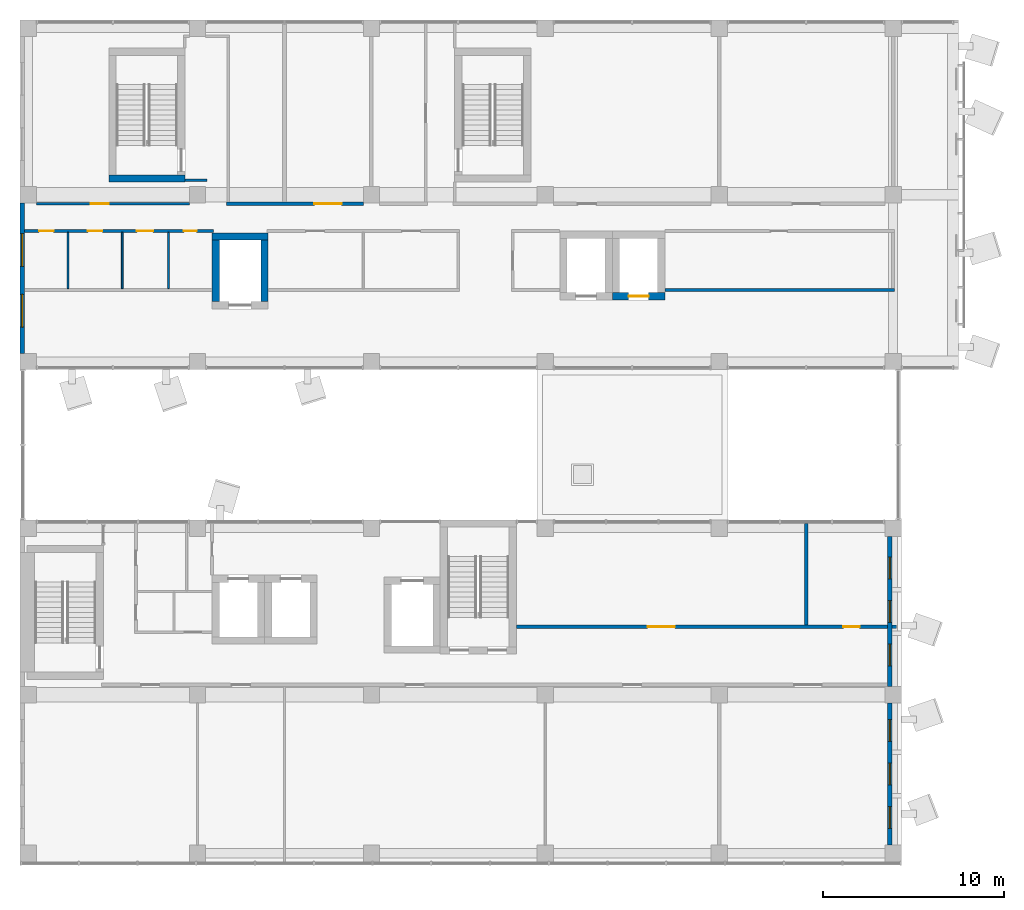
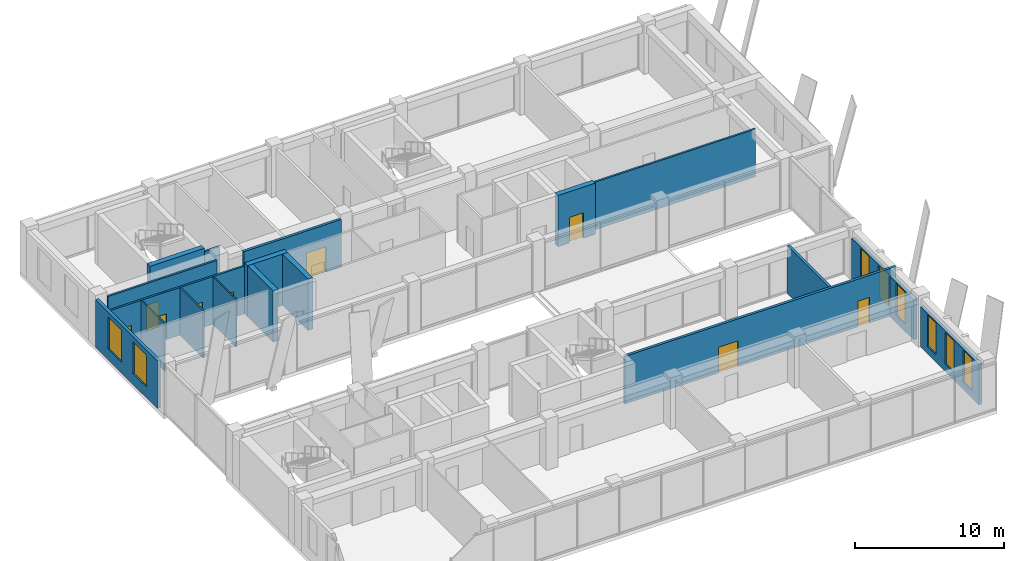
# One storey, part 29 of 38: 18 walls, 9 doors, 8 windows, 17 openings.
"""IFC4 building model written with IfcOpenShell, lengths in metres."""

from ifc_helpers import new_model, si_unit, direction, frame, frame_2d, origin, place, context, subcontext, project, spatial, rectangle, extrude, material, layer, layer_set, layer_usage, type_object, element, fill, save


model = new_model("IFC4")

# Units and contexts
model_context = context("Model", 3, precision=1e-05, world=origin(), true_north=direction((0.0, 1.0)))
body_context = subcontext(model_context, "Body", "Model", "MODEL_VIEW")
ifc_project = project(units=[si_unit("LENGTHUNIT", "METRE"), si_unit("AREAUNIT", "SQUARE_METRE"), si_unit("VOLUMEUNIT", "CUBIC_METRE"), si_unit("PLANEANGLEUNIT", "RADIAN"), si_unit("MASSUNIT", "GRAM", prefix="KILO")], contexts=[model_context])

# Site, building, storey
site_placement = place(None, origin())
site = spatial("IfcSite", under=ifc_project, at=site_placement, CompositionType="ELEMENT")
building_placement = place(site_placement, origin())
building = spatial("IfcBuilding", under=site, at=building_placement, Name="Nzadi Deep Aquarium and Research Tower", CompositionType="ELEMENT")
storey_placement = place(building_placement, frame((0.0, 0.0, 52.89990234375)))
storey = spatial("IfcBuildingStorey", under=building, at=storey_placement, Name="L10", CompositionType="ELEMENT", Elevation=52.89990234375)

# Wall, openings, windows
ifc_material_1 = material(Name="Concrete C35/45", Category="concrete")
ifc_layer_1 = layer(ifc_material_1, 0.14990234375, Category="cladding")
ifc_material_2 = material(Name="Mineral wool insulation")
ifc_layer_2 = layer(ifc_material_2, 0.070068359375, Category="insulation")
ifc_material_3 = material(Name="Gypsum board lining")
ifc_layer_3 = layer(ifc_material_3, 0.030029296875, Category="lining")
ifc_layer_set_1 = layer_set([ifc_layer_1, ifc_layer_2, ifc_layer_3], Name="Concrete C35/45, Mineral wool insulation, Gypsum board lining")
ifc_layer_usage_1 = layer_usage(ifc_layer_set_1, "AXIS2", "POSITIVE", -0.125)
wall_type_1 = type_object("IfcWallType", Name="End wall board-formed concrete 250, 3.30 m high", PredefinedType="ELEMENTEDWALL", material=ifc_layer_set_1)
wall_1_placement = place(storey_placement, frame((47.824951171875, 9.64990234375, 0.0), z_axis=(0.0, 0.0, 1.0), x_axis=(0.0, 1.0, 0.0)))
wall_1 = element("IfcWall", 1, at=wall_1_placement, inside=storey, type_object=wall_type_1, material=ifc_layer_usage_1, Name="End wall blade A east L10", PredefinedType="ELEMENTEDWALL", context=body_context, shape_type="SweptSolid", body=[
    extrude(rectangle(XDim=8.300048828125, YDim=0.25, at=frame_2d((4.14990234375, 0.0))), origin(), (0.0, 0.0, 1.0), 3.300048828125),
])
opening_1_placement = place(wall_1_placement, frame((1.14990234375, 0.0, 0.60009765625)))
opening_1 = element("IfcOpeningElement", 2, at=opening_1_placement, cuts=wall_1, Name="Opening WN05", PredefinedType="OPENING", context=body_context, shape_type="SweptSolid", body=[
    extrude(rectangle(XDim=1.199951171875, YDim=2.60009765625, at=frame_2d((0.60009765625, 1.300048828125))), frame((0.0, 0.135009765625, 0.0), z_axis=(0.0, -1.0, 0.0), x_axis=(1.0, 0.0, 0.0)), (0.0, 0.0, 1.0), 0.27001953125),
])
opening_2_placement = place(wall_1_placement, frame((3.550048828125, 0.0, 0.60009765625)))
opening_2 = element("IfcOpeningElement", 3, at=opening_2_placement, cuts=wall_1, Name="Opening WN05", PredefinedType="OPENING", context=body_context, shape_type="SweptSolid", body=[
    extrude(rectangle(XDim=1.199951171875, YDim=2.60009765625, at=frame_2d((0.60009765625, 1.300048828125))), frame((0.0, 0.135009765625, 0.0), z_axis=(0.0, -1.0, 0.0), x_axis=(1.0, 0.0, 0.0)), (0.0, 0.0, 1.0), 0.27001953125),
])
opening_3_placement = place(wall_1_placement, frame((5.949951171875, 0.0, 0.60009765625)))
opening_3 = element("IfcOpeningElement", 4, at=opening_3_placement, cuts=wall_1, Name="Opening WN05", PredefinedType="OPENING", context=body_context, shape_type="SweptSolid", body=[
    extrude(rectangle(XDim=1.199951171875, YDim=2.60009765625, at=frame_2d((0.60009765625, 1.300048828125))), frame((0.0, 0.135009765625, 0.0), z_axis=(0.0, -1.0, 0.0), x_axis=(1.0, 0.0, 0.0)), (0.0, 0.0, 1.0), 0.27001953125),
])
ifc_material_4 = material(Name="Aluminium window, sage tint glazing", Category="aluminium")
window_type_1 = type_object("IfcWindowType", Name="Slot window 1200x2600 sill 600", PartitioningType="SINGLE_PANEL", PredefinedType="WINDOW", material=ifc_material_4)
window_1_placement = place(opening_1_placement, origin())
window_1 = element("IfcWindow", 5, at=window_1_placement, inside=storey, type_object=window_type_1, Name="Slot window L10 AE", OverallHeight=2.60009765625, OverallWidth=1.199951171875, PartitioningType="SINGLE_PANEL", PredefinedType="WINDOW", context=body_context, shape_type="SweptSolid", body=[
    extrude(rectangle(XDim=1.199951171875, YDim=2.60009765625, at=frame_2d((0.60009765625, 1.300048828125))), frame((0.0, 0.030029296875, 0.0), z_axis=(0.0, -1.0, 0.0), x_axis=(1.0, 0.0, 0.0)), (0.0, 0.0, 1.0), 0.06005859375),
])
fill(opening_1, window_1)
window_2_placement = place(opening_2_placement, origin())
window_2 = element("IfcWindow", 6, at=window_2_placement, inside=storey, type_object=window_type_1, Name="Slot window L10 AE", OverallHeight=2.60009765625, OverallWidth=1.199951171875, PartitioningType="SINGLE_PANEL", PredefinedType="WINDOW", context=body_context, shape_type="SweptSolid", body=[
    extrude(rectangle(XDim=1.199951171875, YDim=2.60009765625, at=frame_2d((0.60009765625, 1.300048828125))), frame((0.0, 0.030029296875, 0.0), z_axis=(0.0, -1.0, 0.0), x_axis=(1.0, 0.0, 0.0)), (0.0, 0.0, 1.0), 0.06005859375),
])
fill(opening_2, window_2)
window_3_placement = place(opening_3_placement, origin())
window_3 = element("IfcWindow", 7, at=window_3_placement, inside=storey, type_object=window_type_1, Name="Slot window L10 AE", OverallHeight=2.60009765625, OverallWidth=1.199951171875, PartitioningType="SINGLE_PANEL", PredefinedType="WINDOW", context=body_context, shape_type="SweptSolid", body=[
    extrude(rectangle(XDim=1.199951171875, YDim=2.60009765625, at=frame_2d((0.60009765625, 1.300048828125))), frame((0.0, 0.030029296875, 0.0), z_axis=(0.0, -1.0, 0.0), x_axis=(1.0, 0.0, 0.0)), (0.0, 0.0, 1.0), 0.06005859375),
])
fill(opening_3, window_3)

ifc_material_5 = material(Name="Graphite aluminium shingle", Category="aluminium")
ifc_layer_4 = layer(ifc_material_5, 0.050048828125, Category="cladding")
ifc_layer_5 = layer(ifc_material_1, 0.10009765625, Category="cladding")
ifc_layer_6 = layer(ifc_material_2, 0.070068359375, Category="insulation")
ifc_layer_7 = layer(ifc_material_3, 0.030029296875, Category="lining")
ifc_layer_set_2 = layer_set([ifc_layer_4, ifc_layer_5, ifc_layer_6, ifc_layer_7], Name="Graphite aluminium shingle, Concrete C35/45, Mineral wool insulation, Gypsum board lining")
ifc_layer_usage_2 = layer_usage(ifc_layer_set_2, "AXIS2", "POSITIVE", -0.125)
wall_type_2 = type_object("IfcWallType", Name="End wall shingle over board-formed concrete 250", PredefinedType="ELEMENTEDWALL", material=ifc_layer_set_2)
wall_2_placement = place(storey_placement, frame((-0.074462890625, 36.35009765625, 0.0), z_axis=(0.0, 0.0, 1.0), x_axis=(0.0, -1.0, 0.0)))
wall_2 = element("IfcWall", 8, at=wall_2_placement, inside=storey, type_object=wall_type_2, material=ifc_layer_usage_2, Name="End wall blade B west L10", PredefinedType="ELEMENTEDWALL", context=body_context, shape_type="SweptSolid", body=[
    extrude(rectangle(XDim=8.300048828125, YDim=0.25, at=frame_2d((4.14990234375, 0.0))), origin(), (0.0, 0.0, 1.0), 3.900146484375),
])
opening_4_placement = place(wall_2_placement, frame((5.050048828125, 0.0, 0.89990234375)))
opening_4 = element("IfcOpeningElement", 9, at=opening_4_placement, cuts=wall_2, Name="Opening WN01", PredefinedType="OPENING", context=body_context, shape_type="SweptSolid", body=[
    extrude(rectangle(XDim=1.800048828125, YDim=2.60009765625, at=frame_2d((0.89990234375, 1.300048828125))), frame((0.0, 0.135009765625, 0.0), z_axis=(0.0, -1.0, 0.0), x_axis=(1.0, 0.0, 0.0)), (0.0, 0.0, 1.0), 0.27001953125),
])
opening_5_placement = place(wall_2_placement, frame((1.699951171875, 0.0, 0.89990234375)))
opening_5 = element("IfcOpeningElement", 10, at=opening_5_placement, cuts=wall_2, Name="Opening WN01", PredefinedType="OPENING", context=body_context, shape_type="SweptSolid", body=[
    extrude(rectangle(XDim=1.800048828125, YDim=2.60009765625, at=frame_2d((0.89990234375, 1.300048828125))), frame((0.0, 0.135009765625, 0.0), z_axis=(0.0, -1.0, 0.0), x_axis=(1.0, 0.0, 0.0)), (0.0, 0.0, 1.0), 0.27001953125),
])
ifc_material_6 = material(Name="Aluminium window, sage tint glazing", Category="aluminium")
window_type_2 = type_object("IfcWindowType", Name="Slot window 1800x2600 sill 900", PartitioningType="SINGLE_PANEL", PredefinedType="WINDOW", material=ifc_material_6)
window_4_placement = place(opening_4_placement, origin())
window_4 = element("IfcWindow", 11, at=window_4_placement, inside=storey, type_object=window_type_2, Name="Slot window L10 BW", OverallHeight=2.60009765625, OverallWidth=1.800048828125, PartitioningType="SINGLE_PANEL", PredefinedType="WINDOW", context=body_context, shape_type="SweptSolid", body=[
    extrude(rectangle(XDim=1.800048828125, YDim=2.60009765625, at=frame_2d((0.89990234375, 1.300048828125))), frame((0.0, 0.030029296875, 0.0), z_axis=(0.0, -1.0, 0.0), x_axis=(1.0, 0.0, 0.0)), (0.0, 0.0, 1.0), 0.06005859375),
])
fill(opening_4, window_4)
window_5_placement = place(opening_5_placement, origin())
window_5 = element("IfcWindow", 12, at=window_5_placement, inside=storey, type_object=window_type_2, Name="Slot window L10 BW", OverallHeight=2.60009765625, OverallWidth=1.800048828125, PartitioningType="SINGLE_PANEL", PredefinedType="WINDOW", context=body_context, shape_type="SweptSolid", body=[
    extrude(rectangle(XDim=1.800048828125, YDim=2.60009765625, at=frame_2d((0.89990234375, 1.300048828125))), frame((0.0, 0.030029296875, 0.0), z_axis=(0.0, -1.0, 0.0), x_axis=(1.0, 0.0, 0.0)), (0.0, 0.0, 1.0), 0.06005859375),
])
fill(opening_5, window_5)

ifc_layer_8 = layer(ifc_material_5, 0.050048828125, Category="cladding")
ifc_layer_9 = layer(ifc_material_1, 0.10009765625, Category="cladding")
ifc_layer_10 = layer(ifc_material_2, 0.070068359375, Category="insulation")
ifc_layer_11 = layer(ifc_material_3, 0.030029296875, Category="lining")
ifc_layer_set_3 = layer_set([ifc_layer_8, ifc_layer_9, ifc_layer_10, ifc_layer_11], Name="Graphite aluminium shingle, Concrete C35/45, Mineral wool insulation, Gypsum board lining")
ifc_layer_usage_3 = layer_usage(ifc_layer_set_3, "AXIS2", "POSITIVE", -0.125)
wall_type_3 = type_object("IfcWallType", Name="End wall shingle over board-formed concrete 250, 3.30 m high", PredefinedType="ELEMENTEDWALL", material=ifc_layer_set_3)
wall_3_placement = place(storey_placement, frame((47.824951171875, 0.89990234375, 0.0), z_axis=(0.0, 0.0, 1.0), x_axis=(0.0, 1.0, 0.0)))
wall_3 = element("IfcWall", 13, at=wall_3_placement, inside=storey, type_object=wall_type_3, material=ifc_layer_usage_3, Name="End wall blade A east L10", PredefinedType="ELEMENTEDWALL", context=body_context, shape_type="SweptSolid", body=[
    extrude(rectangle(XDim=7.85009765625, YDim=0.25, at=frame_2d((3.925048828125, 0.0))), origin(), (0.0, 0.0, 1.0), 3.300048828125),
])
opening_6_placement = place(wall_3_placement, frame((0.925048828125, 0.0, 0.60009765625)))
opening_6 = element("IfcOpeningElement", 14, at=opening_6_placement, cuts=wall_3, Name="Opening WN05", PredefinedType="OPENING", context=body_context, shape_type="SweptSolid", body=[
    extrude(rectangle(XDim=1.199951171875, YDim=2.60009765625, at=frame_2d((0.60009765625, 1.300048828125))), frame((0.0, 0.135009765625, 0.0), z_axis=(0.0, -1.0, 0.0), x_axis=(1.0, 0.0, 0.0)), (0.0, 0.0, 1.0), 0.27001953125),
])
opening_7_placement = place(wall_3_placement, frame((3.324951171875, 0.0, 0.60009765625)))
opening_7 = element("IfcOpeningElement", 15, at=opening_7_placement, cuts=wall_3, Name="Opening WN05", PredefinedType="OPENING", context=body_context, shape_type="SweptSolid", body=[
    extrude(rectangle(XDim=1.199951171875, YDim=2.60009765625, at=frame_2d((0.60009765625, 1.300048828125))), frame((0.0, 0.135009765625, 0.0), z_axis=(0.0, -1.0, 0.0), x_axis=(1.0, 0.0, 0.0)), (0.0, 0.0, 1.0), 0.27001953125),
])
opening_8_placement = place(wall_3_placement, frame((5.72509765625, 0.0, 0.60009765625)))
opening_8 = element("IfcOpeningElement", 16, at=opening_8_placement, cuts=wall_3, Name="Opening WN05", PredefinedType="OPENING", context=body_context, shape_type="SweptSolid", body=[
    extrude(rectangle(XDim=1.199951171875, YDim=2.60009765625, at=frame_2d((0.60009765625, 1.300048828125))), frame((0.0, 0.135009765625, 0.0), z_axis=(0.0, -1.0, 0.0), x_axis=(1.0, 0.0, 0.0)), (0.0, 0.0, 1.0), 0.27001953125),
])
window_6_placement = place(opening_6_placement, origin())
window_6 = element("IfcWindow", 17, at=window_6_placement, inside=storey, type_object=window_type_1, Name="Slot window L10 AE", OverallHeight=2.60009765625, OverallWidth=1.199951171875, PartitioningType="SINGLE_PANEL", PredefinedType="WINDOW", context=body_context, shape_type="SweptSolid", body=[
    extrude(rectangle(XDim=1.199951171875, YDim=2.60009765625, at=frame_2d((0.60009765625, 1.300048828125))), frame((0.0, 0.030029296875, 0.0), z_axis=(0.0, -1.0, 0.0), x_axis=(1.0, 0.0, 0.0)), (0.0, 0.0, 1.0), 0.06005859375),
])
fill(opening_6, window_6)
window_7_placement = place(opening_7_placement, origin())
window_7 = element("IfcWindow", 18, at=window_7_placement, inside=storey, type_object=window_type_1, Name="Slot window L10 AE", OverallHeight=2.60009765625, OverallWidth=1.199951171875, PartitioningType="SINGLE_PANEL", PredefinedType="WINDOW", context=body_context, shape_type="SweptSolid", body=[
    extrude(rectangle(XDim=1.199951171875, YDim=2.60009765625, at=frame_2d((0.60009765625, 1.300048828125))), frame((0.0, 0.030029296875, 0.0), z_axis=(0.0, -1.0, 0.0), x_axis=(1.0, 0.0, 0.0)), (0.0, 0.0, 1.0), 0.06005859375),
])
fill(opening_7, window_7)
window_8_placement = place(opening_8_placement, origin())
window_8 = element("IfcWindow", 19, at=window_8_placement, inside=storey, type_object=window_type_1, Name="Slot window L10 AE", OverallHeight=2.60009765625, OverallWidth=1.199951171875, PartitioningType="SINGLE_PANEL", PredefinedType="WINDOW", context=body_context, shape_type="SweptSolid", body=[
    extrude(rectangle(XDim=1.199951171875, YDim=2.60009765625, at=frame_2d((0.60009765625, 1.300048828125))), frame((0.0, 0.030029296875, 0.0), z_axis=(0.0, -1.0, 0.0), x_axis=(1.0, 0.0, 0.0)), (0.0, 0.0, 1.0), 0.06005859375),
])
fill(opening_8, window_8)

# Walls
ifc_material_7 = material(Name="Blockwork masonry", Category="masonry")
ifc_layer_12 = layer(ifc_material_7, 0.10009765625)
ifc_layer_set_4 = layer_set([ifc_layer_12], Name="Blockwork masonry")
wall_type_4 = type_object("IfcWallType", Name="Partition 100 EI 30", PredefinedType="PARTITIONING", material=ifc_layer_set_4)
for number, where, z_axis, x_axis, name in (
    (20, (2.449951171875, 31.625, 0.0), (0.0, 0.0, 1.0), (0.0, 1.0, 0.0), "W-Z1-L10-P004"),
    (21, (5.449951171875, 31.625, 0.0), (0.0, 0.0, 1.0), (0.0, 1.0, 0.0), "W-Z1-L10-P007"),
    (22, (8.0, 31.625, 0.0), (0.0, 0.0, 1.0), (0.0, 1.0, 0.0), "W-Z1-L10-P011"),
):
    element("IfcWall", number, at=place(storey_placement, frame(where, z_axis=z_axis, x_axis=x_axis)), inside=storey, type_object=wall_type_4, Name=name, PredefinedType="PARTITIONING", context=body_context, shape_type="SweptSolid", body=[
        extrude(rectangle(XDim=3.10009765625, YDim=0.10009765625, at=frame_2d((1.550048828125, 0.0))), origin(), (0.0, 0.0, 1.0), 3.900146484375),
    ])

# Wall, openings, doors
ifc_material_8 = material(Name="Blockwork masonry", Category="masonry")
ifc_layer_13 = layer(ifc_material_8, 0.14990234375)
ifc_layer_set_5 = layer_set([ifc_layer_13], Name="Blockwork masonry")
wall_type_5 = type_object("IfcWallType", Name="Partition 150 EI 60", PredefinedType="PARTITIONING", material=ifc_layer_set_5)
wall_4_placement = place(storey_placement, frame((0.055908203125, 34.800048828125, 0.0), z_axis=(0.0, 0.0, 1.0), x_axis=(1.0, 0.0, 0.0)))
wall_4 = element("IfcWall", 23, at=wall_4_placement, inside=storey, type_object=wall_type_5, Name="W-Z1-L10-P002", PredefinedType="PARTITIONING", context=body_context, shape_type="SweptSolid", body=[
    extrude(rectangle(XDim=10.419189453125, YDim=0.14990234375, at=frame_2d((5.20947265625, 0.0))), origin(), (0.0, 0.0, 1.0), 3.900146484375),
])
opening_9_placement = place(wall_4_placement, frame((0.7939453125, 0.0, 0.0)))
opening_9 = element("IfcOpeningElement", 24, at=opening_9_placement, cuts=wall_4, Name="Opening D111013", PredefinedType="OPENING", context=body_context, shape_type="SweptSolid", body=[
    extrude(rectangle(XDim=0.800048828125, YDim=2.10009765625, at=frame_2d((0.39990234375, 1.050048828125))), frame((0.0, 0.0849609375, 0.0), z_axis=(0.0, -1.0, 0.0), x_axis=(1.0, 0.0, 0.0)), (0.0, 0.0, 1.0), 0.169921875),
])
opening_10_placement = place(wall_4_placement, frame((3.493896484375, 0.0, 0.0)))
opening_10 = element("IfcOpeningElement", 25, at=opening_10_placement, cuts=wall_4, Name="Opening D111014", PredefinedType="OPENING", context=body_context, shape_type="SweptSolid", body=[
    extrude(rectangle(XDim=0.800048828125, YDim=2.10009765625, at=frame_2d((0.39990234375, 1.050048828125))), frame((0.0, 0.0849609375, 0.0), z_axis=(0.0, -1.0, 0.0), x_axis=(1.0, 0.0, 0.0)), (0.0, 0.0, 1.0), 0.169921875),
])
opening_11_placement = place(wall_4_placement, frame((6.194091796875, 0.0, 0.0)))
opening_11 = element("IfcOpeningElement", 26, at=opening_11_placement, cuts=wall_4, Name="Opening D111015", PredefinedType="OPENING", context=body_context, shape_type="SweptSolid", body=[
    extrude(rectangle(XDim=0.89990234375, YDim=2.10009765625, at=frame_2d((0.449951171875, 1.050048828125))), frame((0.0, 0.0849609375, 0.0), z_axis=(0.0, -1.0, 0.0), x_axis=(1.0, 0.0, 0.0)), (0.0, 0.0, 1.0), 0.169921875),
])
opening_12_placement = place(wall_4_placement, frame((8.7939453125, 0.0, 0.0)))
opening_12 = element("IfcOpeningElement", 27, at=opening_12_placement, cuts=wall_4, Name="Opening D111016", PredefinedType="OPENING", context=body_context, shape_type="SweptSolid", body=[
    extrude(rectangle(XDim=0.699951171875, YDim=2.10009765625, at=frame_2d((0.35009765625, 1.050048828125))), frame((0.0, 0.0849609375, 0.0), z_axis=(0.0, -1.0, 0.0), x_axis=(1.0, 0.0, 0.0)), (0.0, 0.0, 1.0), 0.169921875),
])
ifc_material_9 = material(Name="Fire-rated steel door", Category="steel")
ifc_layer_14 = layer(ifc_material_9, 0.050048828125)
ifc_layer_set_6 = layer_set([ifc_layer_14], Name="Fire-rated steel door")
door_type_1 = type_object("IfcDoorType", Name="Door 700x2100 EI 60 single", OperationType="SINGLE_SWING_LEFT", PredefinedType="DOOR", material=ifc_layer_set_6)
door_1_placement = place(opening_12_placement, origin())
door_1 = element("IfcDoor", 28, at=door_1_placement, inside=storey, type_object=door_type_1, Name="D111016", OperationType="SINGLE_SWING_LEFT", OverallHeight=2.10009765625, OverallWidth=0.699951171875, PredefinedType="DOOR", context=body_context, shape_type="SweptSolid", body=[
    extrude(rectangle(XDim=0.699951171875, YDim=2.10009765625, at=frame_2d((0.35009765625, 1.050048828125))), frame((0.0, 0.02490234375, 0.0), z_axis=(0.0, -1.0, 0.0), x_axis=(1.0, 0.0, 0.0)), (0.0, 0.0, 1.0), 0.050048828125),
])
fill(opening_12, door_1)
ifc_material_10 = material(Name="Fire-rated steel door", Category="steel")
ifc_layer_15 = layer(ifc_material_10, 0.050048828125)
ifc_layer_set_7 = layer_set([ifc_layer_15], Name="Fire-rated steel door")
door_type_2 = type_object("IfcDoorType", Name="Door 800x2100 EI 60 single", OperationType="SINGLE_SWING_LEFT", PredefinedType="DOOR", material=ifc_layer_set_7)
door_2_placement = place(opening_9_placement, origin())
door_2 = element("IfcDoor", 29, at=door_2_placement, inside=storey, type_object=door_type_2, Name="D111013", OperationType="SINGLE_SWING_RIGHT", OverallHeight=2.10009765625, OverallWidth=0.800048828125, PredefinedType="DOOR", context=body_context, shape_type="SweptSolid", body=[
    extrude(rectangle(XDim=0.800048828125, YDim=2.10009765625, at=frame_2d((0.39990234375, 1.050048828125))), frame((0.0, 0.02490234375, 0.0), z_axis=(0.0, -1.0, 0.0), x_axis=(1.0, 0.0, 0.0)), (0.0, 0.0, 1.0), 0.050048828125),
])
fill(opening_9, door_2)
door_3_placement = place(opening_10_placement, origin())
door_3 = element("IfcDoor", 30, at=door_3_placement, inside=storey, type_object=door_type_2, Name="D111014", OperationType="SINGLE_SWING_LEFT", OverallHeight=2.10009765625, OverallWidth=0.800048828125, PredefinedType="DOOR", context=body_context, shape_type="SweptSolid", body=[
    extrude(rectangle(XDim=0.800048828125, YDim=2.10009765625, at=frame_2d((0.39990234375, 1.050048828125))), frame((0.0, 0.02490234375, 0.0), z_axis=(0.0, -1.0, 0.0), x_axis=(1.0, 0.0, 0.0)), (0.0, 0.0, 1.0), 0.050048828125),
])
fill(opening_10, door_3)
ifc_material_11 = material(Name="Fire-rated steel door", Category="steel")
ifc_layer_16 = layer(ifc_material_11, 0.050048828125)
ifc_layer_set_8 = layer_set([ifc_layer_16], Name="Fire-rated steel door")
door_type_3 = type_object("IfcDoorType", Name="Door 900x2100 EI 60 single", OperationType="SINGLE_SWING_LEFT", PredefinedType="DOOR", material=ifc_layer_set_8)
door_4_placement = place(opening_11_placement, origin())
door_4 = element("IfcDoor", 31, at=door_4_placement, inside=storey, type_object=door_type_3, Name="D111015", OperationType="SINGLE_SWING_LEFT", OverallHeight=2.10009765625, OverallWidth=0.89990234375, PredefinedType="DOOR", context=body_context, shape_type="SweptSolid", body=[
    extrude(rectangle(XDim=0.89990234375, YDim=2.10009765625, at=frame_2d((0.449951171875, 1.050048828125))), frame((0.0, 0.02490234375, 0.0), z_axis=(0.0, -1.0, 0.0), x_axis=(1.0, 0.0, 0.0)), (0.0, 0.0, 1.0), 0.050048828125),
])
fill(opening_11, door_4)

# Wall, opening, door
wall_5_placement = place(storey_placement, frame((0.699951171875, 36.300048828125, 0.0), z_axis=(0.0, 0.0, 1.0), x_axis=(1.0, 0.0, 0.0)))
wall_5 = element("IfcWall", 32, at=wall_5_placement, inside=storey, type_object=wall_type_5, Name="W-Z1-L10-P003", PredefinedType="PARTITIONING", context=body_context, shape_type="SweptSolid", body=[
    extrude(rectangle(XDim=8.449951171875, YDim=0.14990234375, at=frame_2d((4.22509765625, 0.0))), origin(), (0.0, 0.0, 1.0), 3.900146484375),
])
opening_13_placement = place(wall_5_placement, frame((3.0, 0.0, 0.0)))
opening_13 = element("IfcOpeningElement", 33, at=opening_13_placement, cuts=wall_5, Name="Opening D111021", PredefinedType="OPENING", context=body_context, shape_type="SweptSolid", body=[
    extrude(rectangle(XDim=1.0, YDim=2.10009765625, at=frame_2d((0.5, 1.050048828125))), frame((0.0, 0.0849609375, 0.0), z_axis=(0.0, -1.0, 0.0), x_axis=(1.0, 0.0, 0.0)), (0.0, 0.0, 1.0), 0.169921875),
])
ifc_material_12 = material(Name="Fire-rated steel door", Category="steel")
ifc_layer_17 = layer(ifc_material_12, 0.050048828125)
ifc_layer_set_9 = layer_set([ifc_layer_17], Name="Fire-rated steel door")
door_type_4 = type_object("IfcDoorType", Name="Door 1000x2100 EI 60 single", OperationType="SINGLE_SWING_LEFT", PredefinedType="DOOR", material=ifc_layer_set_9)
door_5_placement = place(opening_13_placement, origin())
door_5 = element("IfcDoor", 34, at=door_5_placement, inside=storey, type_object=door_type_4, Name="D111021", OperationType="SINGLE_SWING_RIGHT", OverallHeight=2.10009765625, OverallWidth=1.0, PredefinedType="DOOR", context=body_context, shape_type="SweptSolid", body=[
    extrude(rectangle(XDim=1.0, YDim=2.10009765625, at=frame_2d((0.5, 1.050048828125))), frame((0.0, 0.02490234375, 0.0), z_axis=(0.0, -1.0, 0.0), x_axis=(1.0, 0.0, 0.0)), (0.0, 0.0, 1.0), 0.050048828125),
])
fill(opening_13, door_5)

# Walls
wall_6_placement = place(storey_placement, frame((8.906005859375, 37.60009765625, 0.0), z_axis=(0.0, 0.0, 1.0), x_axis=(1.0, 0.0, 0.0)))
element("IfcWall", 35, at=wall_6_placement, inside=storey, type_object=wall_type_5, Name="W-Z1-L10-P015", PredefinedType="PARTITIONING", context=body_context, shape_type="SweptSolid", body=[
    extrude(rectangle(XDim=1.218994140625, YDim=0.14990234375, at=frame_2d((0.609375, 0.0))), origin(), (0.0, 0.0, 1.0), 3.900146484375),
])
wall_7_placement = place(storey_placement, frame((35.406005859375, 31.550048828125, 0.0), z_axis=(0.0, 0.0, 1.0), x_axis=(1.0, 0.0, 0.0)))
element("IfcWall", 36, at=wall_7_placement, inside=storey, type_object=wall_type_5, Name="W-Z1-L10-P040", PredefinedType="PARTITIONING", context=body_context, shape_type="SweptSolid", body=[
    extrude(rectangle(XDim=12.6689453125, YDim=0.14990234375, at=frame_2d((6.33447265625, 0.0))), origin(), (0.0, 0.0, 1.0), 3.900146484375),
])

# Wall, opening, door
ifc_material_13 = material(Name="Blockwork masonry", Category="masonry")
ifc_layer_18 = layer(ifc_material_13, 0.199951171875)
ifc_layer_set_10 = layer_set([ifc_layer_18], Name="Blockwork masonry")
wall_type_6 = type_object("IfcWallType", Name="Partition 200 EI 120", PredefinedType="PARTITIONING", material=ifc_layer_set_10)
wall_8_placement = place(storey_placement, frame((11.199951171875, 36.300048828125, 0.0), z_axis=(0.0, 0.0, 1.0), x_axis=(1.0, 0.0, 0.0)))
wall_8 = element("IfcWall", 37, at=wall_8_placement, inside=storey, type_object=wall_type_6, Name="W-Z1-L10-P020", PredefinedType="PARTITIONING", context=body_context, shape_type="SweptSolid", body=[
    extrude(rectangle(XDim=7.550048828125, YDim=0.199951171875, at=frame_2d((3.77490234375, 0.0))), origin(), (0.0, 0.0, 1.0), 3.900146484375),
])
opening_14_placement = place(wall_8_placement, frame((4.85009765625, 0.0, 0.0)))
opening_14 = element("IfcOpeningElement", 38, at=opening_14_placement, cuts=wall_8, Name="Opening D111022", PredefinedType="OPENING", context=body_context, shape_type="SweptSolid", body=[
    extrude(rectangle(XDim=1.5, YDim=2.10009765625, at=frame_2d((0.75, 1.050048828125))), frame((0.0, 0.110107421875, 0.0), z_axis=(0.0, -1.0, 0.0), x_axis=(1.0, 0.0, 0.0)), (0.0, 0.0, 1.0), 0.22021484375),
])
ifc_material_14 = material(Name="Fire-rated steel door", Category="steel")
ifc_layer_19 = layer(ifc_material_14, 0.050048828125)
ifc_layer_set_11 = layer_set([ifc_layer_19], Name="Fire-rated steel door")
door_type_5 = type_object("IfcDoorType", Name="Door 1500x2100 EI 120 double", OperationType="DOUBLE_DOOR_SINGLE_SWING", PredefinedType="DOOR", material=ifc_layer_set_11)
door_6_placement = place(opening_14_placement, origin())
door_6 = element("IfcDoor", 39, at=door_6_placement, inside=storey, type_object=door_type_5, Name="D111022", OperationType="DOUBLE_DOOR_SINGLE_SWING", OverallHeight=2.10009765625, OverallWidth=1.5, PredefinedType="DOOR", context=body_context, shape_type="SweptSolid", body=[
    extrude(rectangle(XDim=1.5, YDim=2.10009765625, at=frame_2d((0.75, 1.050048828125))), frame((0.0, 0.02490234375, 0.0), z_axis=(0.0, -1.0, 0.0), x_axis=(1.0, 0.0, 0.0)), (0.0, 0.0, 1.0), 0.050048828125),
])
fill(opening_14, door_6)

# Wall, openings, doors
wall_9_placement = place(storey_placement, frame((27.2060546875, 12.949951171875, 0.0), z_axis=(0.0, 0.0, 1.0), x_axis=(1.0, 0.0, 0.0)))
wall_9 = element("IfcWall", 40, at=wall_9_placement, inside=storey, type_object=wall_type_6, Name="W-Z1-L10-P037", PredefinedType="PARTITIONING", context=body_context, shape_type="SweptSolid", body=[
    extrude(rectangle(XDim=20.988037109375, YDim=0.199951171875, at=frame_2d((10.494140625, 0.0))), origin(), (0.0, 0.0, 1.0), 3.900146484375),
])
opening_15_placement = place(wall_9_placement, frame((7.243896484375, 0.0, 0.0)))
opening_15 = element("IfcOpeningElement", 41, at=opening_15_placement, cuts=wall_9, Name="Opening D111011", PredefinedType="OPENING", context=body_context, shape_type="SweptSolid", body=[
    extrude(rectangle(XDim=1.5, YDim=2.10009765625, at=frame_2d((0.75, 1.050048828125))), frame((0.0, 0.110107421875, 0.0), z_axis=(0.0, -1.0, 0.0), x_axis=(1.0, 0.0, 0.0)), (0.0, 0.0, 1.0), 0.22021484375),
])
opening_16_placement = place(wall_9_placement, frame((18.0439453125, 0.0, 0.0)))
opening_16 = element("IfcOpeningElement", 42, at=opening_16_placement, cuts=wall_9, Name="Opening D111012", PredefinedType="OPENING", context=body_context, shape_type="SweptSolid", body=[
    extrude(rectangle(XDim=0.89990234375, YDim=2.10009765625, at=frame_2d((0.449951171875, 1.050048828125))), frame((0.0, 0.110107421875, 0.0), z_axis=(0.0, -1.0, 0.0), x_axis=(1.0, 0.0, 0.0)), (0.0, 0.0, 1.0), 0.22021484375),
])
door_7_placement = place(opening_15_placement, origin())
door_7 = element("IfcDoor", 43, at=door_7_placement, inside=storey, type_object=door_type_5, Name="D111011", OperationType="DOUBLE_DOOR_SINGLE_SWING", OverallHeight=2.10009765625, OverallWidth=1.5, PredefinedType="DOOR", context=body_context, shape_type="SweptSolid", body=[
    extrude(rectangle(XDim=1.5, YDim=2.10009765625, at=frame_2d((0.75, 1.050048828125))), frame((0.0, 0.02490234375, 0.0), z_axis=(0.0, -1.0, 0.0), x_axis=(1.0, 0.0, 0.0)), (0.0, 0.0, 1.0), 0.050048828125),
])
fill(opening_15, door_7)
ifc_material_15 = material(Name="Fire-rated steel door", Category="steel")
ifc_layer_20 = layer(ifc_material_15, 0.050048828125)
ifc_layer_set_12 = layer_set([ifc_layer_20], Name="Fire-rated steel door")
door_type_6 = type_object("IfcDoorType", Name="Door 900x2100 EI 120 single", OperationType="SINGLE_SWING_LEFT", PredefinedType="DOOR", material=ifc_layer_set_12)
door_8_placement = place(opening_16_placement, origin())
door_8 = element("IfcDoor", 44, at=door_8_placement, inside=storey, type_object=door_type_6, Name="D111012", OperationType="SINGLE_SWING_RIGHT", OverallHeight=2.10009765625, OverallWidth=0.89990234375, PredefinedType="DOOR", context=body_context, shape_type="SweptSolid", body=[
    extrude(rectangle(XDim=0.89990234375, YDim=2.10009765625, at=frame_2d((0.449951171875, 1.050048828125))), frame((0.0, 0.02490234375, 0.0), z_axis=(0.0, -1.0, 0.0), x_axis=(1.0, 0.0, 0.0)), (0.0, 0.0, 1.0), 0.050048828125),
])
fill(opening_16, door_8)

# Walls
wall_10_placement = place(storey_placement, frame((43.199951171875, 13.050048828125, 0.0), z_axis=(0.0, 0.0, 1.0), x_axis=(0.0, 1.0, 0.0)))
element("IfcWall", 45, at=wall_10_placement, inside=storey, type_object=wall_type_6, Name="W-Z1-L10-P045", PredefinedType="PARTITIONING", context=body_context, shape_type="SweptSolid", body=[
    extrude(rectangle(XDim=5.593994140625, YDim=0.199951171875, at=frame_2d((2.796875, 0.0))), origin(), (0.0, 0.0, 1.0), 3.900146484375),
])
ifc_material_16 = material(Name="Concrete C35/45", Category="concrete")
ifc_layer_21 = layer(ifc_material_16, 0.39990234375)
ifc_layer_set_13 = layer_set([ifc_layer_21], Name="Concrete C35/45")
wall_type_7 = type_object("IfcWallType", Name="RC core wall 400", PredefinedType="SHEAR", material=ifc_layer_set_13)
wall_11_placement = place(storey_placement, frame((4.699951171875, 37.699951171875, 0.0), z_axis=(0.0, 0.0, 1.0), x_axis=(1.0, 0.0, 0.0)))
element("IfcWall", 46, at=wall_11_placement, inside=storey, type_object=wall_type_7, Name="W-CORE-ST-Z1-NW-L10-S", PredefinedType="SHEAR", context=body_context, shape_type="SweptSolid", body=[
    extrude(rectangle(XDim=4.199951171875, YDim=0.39990234375, at=frame_2d((2.10009765625, 0.0))), origin(), (0.0, 0.0, 1.0), 4.2001953125),
])
wall_12_placement = place(storey_placement, frame((10.39990234375, 34.5, 0.0), z_axis=(0.0, 0.0, 1.0), x_axis=(1.0, 0.0, 0.0)))
element("IfcWall", 47, at=wall_12_placement, inside=storey, type_object=wall_type_7, Name="W-CORE-FL2-L10-N", PredefinedType="SHEAR", context=body_context, shape_type="SweptSolid", body=[
    extrude(rectangle(XDim=3.10009765625, YDim=0.39990234375, at=frame_2d((1.550048828125, 0.0))), origin(), (0.0, 0.0, 1.0), 4.2001953125),
])
for number, where, z_axis, x_axis, name in (
    (48, (10.60009765625, 30.89990234375, 0.0), (0.0, 0.0, 1.0), (0.0, 1.0, 0.0), "W-CORE-FL2-L10-W"),
    (49, (13.300048828125, 30.89990234375, 0.0), (0.0, 0.0, 1.0), (0.0, 1.0, 0.0), "W-CORE-FL2-L10-E"),
):
    element("IfcWall", number, at=place(storey_placement, frame(where, z_axis=z_axis, x_axis=x_axis)), inside=storey, type_object=wall_type_7, Name=name, PredefinedType="SHEAR", context=body_context, shape_type="SweptSolid", body=[
        extrude(rectangle(XDim=3.400146484375, YDim=0.39990234375, at=frame_2d((1.7001953125, 0.0))), origin(), (0.0, 0.0, 1.0), 4.2001953125),
    ])

# Wall, opening, door
wall_13_placement = place(storey_placement, frame((32.5, 31.199951171875, 0.0), z_axis=(0.0, 0.0, 1.0), x_axis=(1.0, 0.0, 0.0)))
wall_13 = element("IfcWall", 50, at=wall_13_placement, inside=storey, type_object=wall_type_7, Name="W-CORE-TL4-L10-S", PredefinedType="SHEAR", context=body_context, shape_type="SweptSolid", body=[
    extrude(rectangle(XDim=2.89990234375, YDim=0.39990234375, at=frame_2d((1.449951171875, 0.0))), origin(), (0.0, 0.0, 1.0), 4.2001953125),
])
opening_17_placement = place(wall_13_placement, frame((0.89990234375, 0.0, 0.0)))
opening_17 = element("IfcOpeningElement", 51, at=opening_17_placement, cuts=wall_13, Name="Opening LD-TL4-L10", PredefinedType="OPENING", context=body_context, shape_type="SweptSolid", body=[
    extrude(rectangle(XDim=1.10009765625, YDim=2.10009765625, at=frame_2d((0.550048828125, 1.050048828125))), frame((0.0, 0.2099609375, 0.0), z_axis=(0.0, -1.0, 0.0), x_axis=(1.0, 0.0, 0.0)), (0.0, 0.0, 1.0), 0.419921875),
])
ifc_material_17 = material(Name="Stainless steel 1.4301", Category="steel")
door_type_7 = type_object("IfcDoorType", Name="LANDING DOOR 1100x2100", OperationType="DOUBLE_DOOR_SLIDING", PredefinedType="DOOR", material=ifc_material_17)
door_9_placement = place(opening_17_placement, origin())
door_9 = element("IfcDoor", 52, at=door_9_placement, inside=storey, type_object=door_type_7, Name="Landing door TL4 L10", OperationType="DOUBLE_DOOR_SLIDING", OverallHeight=2.10009765625, OverallWidth=1.10009765625, PredefinedType="DOOR", context=body_context, shape_type="SweptSolid", body=[
    extrude(rectangle(XDim=1.10009765625, YDim=2.10009765625, at=frame_2d((0.550048828125, 1.050048828125))), frame((0.0, 0.02490234375, 0.0), z_axis=(0.0, -1.0, 0.0), x_axis=(1.0, 0.0, 0.0)), (0.0, 0.0, 1.0), 0.050048828125),
])
fill(opening_17, door_9)

save(model, "model.ifc")
